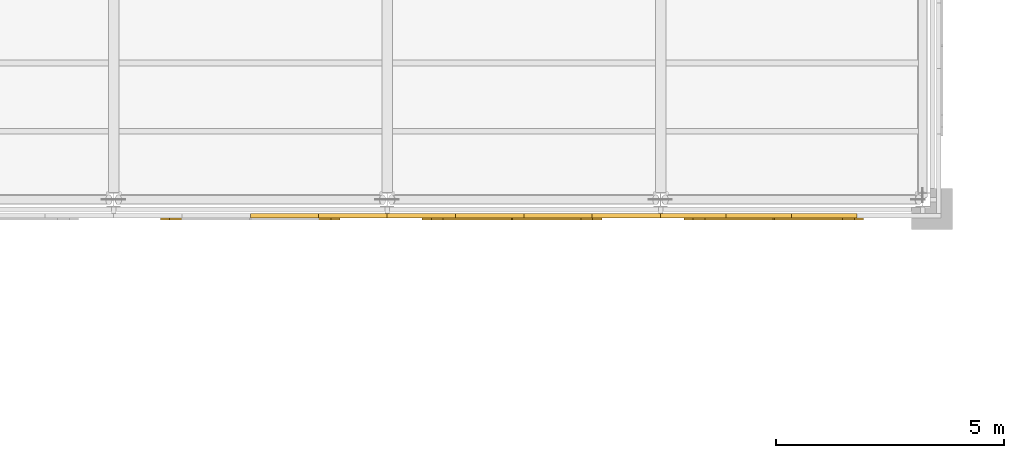
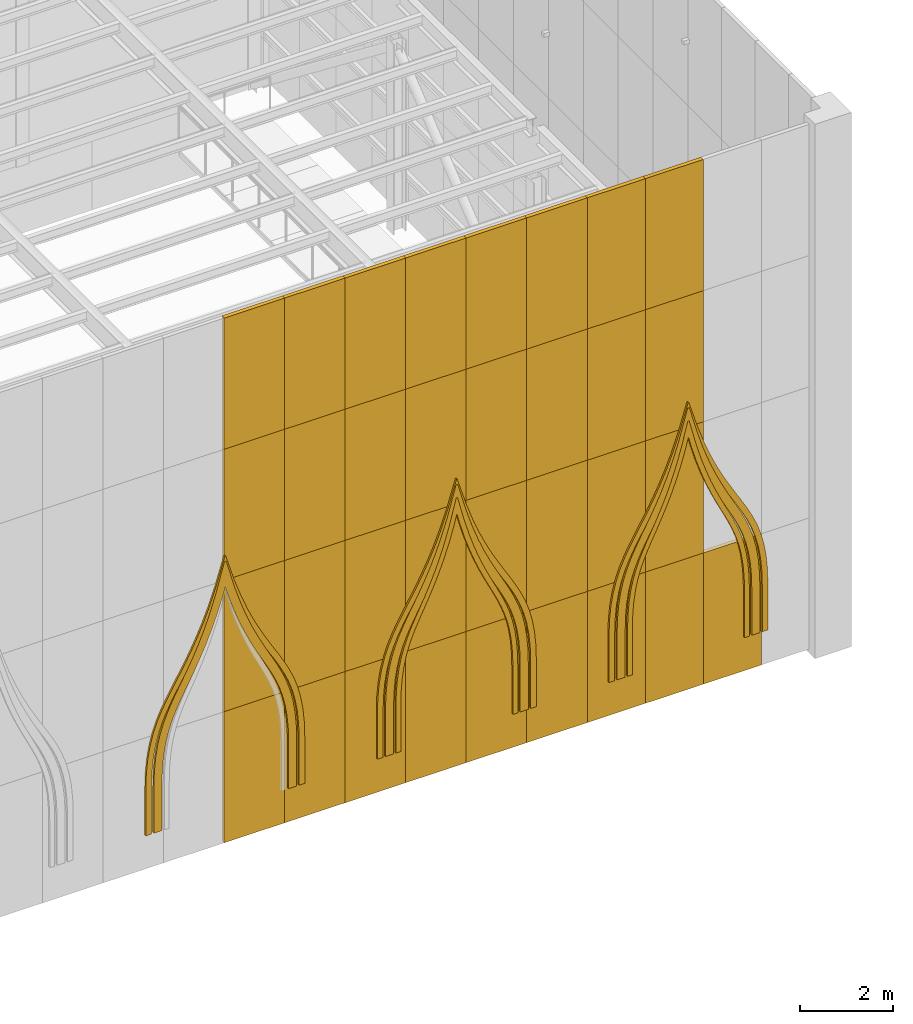
# One storey, part 37 of 43: 41 coverings.
"""IFC4 building model written with IfcOpenShell, lengths in metres."""

import ifcopenshell
import ifcopenshell.guid

model = None  # the IFC model being written
_history = None  # IfcOwnerHistory: only IFC2X3 demands one
_inside = {}  # id of a spatial element -> (the spatial element, [elements in it])
_under = {}  # id of a project, library or spatial element -> (it, [spatial elements below it])
_declared = {}  # id of a project -> (the project, [libraries it declares])
_typed = {}  # id of a type object -> (the type object, [elements of that type])
_made_of = {}  # id of a material, layer set ... -> (it, [elements and type objects made of it])


def new_model(schema):
    """Start an empty IFC model of exactly this schema.

    Asked for "IFC4X3", IfcOpenShell would pick the latest addendum, in which some entities
    have other attributes; the version numbers below select the first issue.
    IFC2X3 requires an IfcOwnerHistory on every rooted entity: one is made here for all.
    """
    global model, _history
    if schema == "IFC4X3":
        model = ifcopenshell.file(schema_version=(4, 3, 0, 0))
    else:
        model = ifcopenshell.file(schema=schema)
    _inside.clear()
    _under.clear()
    _declared.clear()
    _typed.clear()
    _made_of.clear()
    _history = None
    if model.schema == "IFC2X3":
        org = make("IfcOrganization", Name="unknown")
        user = make(
            "IfcPersonAndOrganization",
            ThePerson=make("IfcPerson", FamilyName="unknown"),
            TheOrganization=org,
        )
        app = make(
            "IfcApplication",
            ApplicationDeveloper=org,
            Version="unknown",
            ApplicationFullName="unknown",
            ApplicationIdentifier="unknown",
        )
        _history = make(
            "IfcOwnerHistory",
            OwningUser=user,
            OwningApplication=app,
            ChangeAction="ADDED",
            CreationDate=0,
        )
    return model


def make(cls, **values):
    """One entity of the class cls with the attributes given. An attribute that is None is left unset."""
    return model.create_entity(
        cls, **{name: value for name, value in values.items() if value is not None}
    )


def rooted(cls, **values):
    """An entity with a GlobalId (a new one), such as an element, a storey or a relation."""
    return make(cls, GlobalId=ifcopenshell.guid.new(), OwnerHistory=_history, **values)


def si_unit(unit_type, name, prefix=None):
    """IfcSIUnit, for example si_unit("LENGTHUNIT", "METRE", prefix="MILLI")."""
    return make("IfcSIUnit", UnitType=unit_type, Prefix=prefix, Name=name)


def assignment(units):
    """IfcUnitAssignment: the units of a project."""
    return None if units is None else make("IfcUnitAssignment", Units=units)


def point(xyz):
    """IfcCartesianPoint."""
    return None if xyz is None else make("IfcCartesianPoint", Coordinates=xyz)


def direction(xyz):
    """IfcDirection."""
    return None if xyz is None else make("IfcDirection", DirectionRatios=xyz)


def frame(location, z_axis=None, x_axis=None):
    """IfcAxis2Placement3D, a coordinate frame: its origin and axes. An axis left out is left unset."""
    return make(
        "IfcAxis2Placement3D",
        Location=point(location),
        Axis=direction(z_axis),
        RefDirection=direction(x_axis),
    )


def frame_2d(location, x_axis=None):
    """IfcAxis2Placement2D, a coordinate frame in the plane: its origin and x axis."""
    return make(
        "IfcAxis2Placement2D", Location=point(location), RefDirection=direction(x_axis)
    )


def origin():
    """The frame at (0, 0, 0) with its axes left unset."""
    return frame((0.0, 0.0, 0.0))


def origin_2d():
    """The frame at (0, 0) in the plane with its x axis left unset."""
    return frame_2d((0.0, 0.0))


def place(relative_to, where):
    """IfcLocalPlacement: puts the frame where relative to a parent placement (None: the world)."""
    return make(
        "IfcLocalPlacement", PlacementRelTo=relative_to, RelativePlacement=where
    )


def context(
    kind, dimensions, precision=None, world=None, true_north=None, identifier=None
):
    """IfcGeometricRepresentationContext, for example the 3D "Model" context."""
    return make(
        "IfcGeometricRepresentationContext",
        ContextIdentifier=identifier,
        ContextType=kind,
        CoordinateSpaceDimension=dimensions,
        Precision=precision,
        WorldCoordinateSystem=world,
        TrueNorth=true_north,
    )


def subcontext(parent, identifier, kind, view, scale=None):
    """IfcGeometricRepresentationSubContext, for example "Body" below "Model"."""
    return make(
        "IfcGeometricRepresentationSubContext",
        ContextIdentifier=identifier,
        ContextType=kind,
        ParentContext=parent,
        TargetScale=scale,
        TargetView=view,
    )


def project(units=None, contexts=None):
    """IfcProject with its units and contexts."""
    return rooted(
        "IfcProject",
        Name="project",
        RepresentationContexts=contexts,
        UnitsInContext=assignment(units),
    )


def spatial(cls, under=None, at=None, **own):
    """A site, building, storey or space (cls), placed at a placement, below another one or the project."""
    s = rooted(cls, ObjectPlacement=at, **own)
    if under is not None:
        _under.setdefault(under.id(), (under, []))[1].append(s)
    return s


def polyline(points):
    """IfcPolyline through the points."""
    return make("IfcPolyline", Points=[point(p) for p in points])


def profile(cls, at=None, kind="AREA", **sizes):
    """A parametric profile (cls). Its sizes go by their IFC names, for example OverallWidth=200.0."""
    return make(cls, ProfileType=kind, Position=at, **sizes)


def rectangle(**sizes):
    """IfcRectangleProfileDef."""
    return profile("IfcRectangleProfileDef", **sizes)


def outline(outer, holes=None, kind="AREA"):
    """IfcArbitraryClosedProfileDef: a profile drawn as a closed curve; with holes, ...WithVoids."""
    if holes is None:
        return make("IfcArbitraryClosedProfileDef", ProfileType=kind, OuterCurve=outer)
    return make(
        "IfcArbitraryProfileDefWithVoids",
        ProfileType=kind,
        OuterCurve=outer,
        InnerCurves=holes,
    )


def extrude(swept, where, along, depth):
    """IfcExtrudedAreaSolid: the profile swept, set in the frame where, extruded along a direction by depth."""
    return make(
        "IfcExtrudedAreaSolid",
        SweptArea=swept,
        Position=where,
        ExtrudedDirection=direction(along),
        Depth=depth,
    )


def shape(context_of_items, identifier, shape_type, items):
    """IfcShapeRepresentation: the items that make up one representation, for example the "Body"."""
    return make(
        "IfcShapeRepresentation",
        ContextOfItems=context_of_items,
        RepresentationIdentifier=identifier,
        RepresentationType=shape_type,
        Items=items,
    )


def material(Name=None, Category=None):
    """IfcMaterial."""
    return make("IfcMaterial", Name=Name, Category=Category)


def layer(
    of_material, thickness, ventilated=None, Name=None, Category=None, Priority=None
):
    """IfcMaterialLayer: one layer of a wall or slab, of a material (None: an air gap)."""
    return make(
        "IfcMaterialLayer",
        Material=of_material,
        LayerThickness=thickness,
        IsVentilated=ventilated,
        Name=Name,
        Category=Category,
        Priority=Priority,
    )


def layer_set(layers, Name=None):
    """IfcMaterialLayerSet."""
    return make("IfcMaterialLayerSet", MaterialLayers=layers, LayerSetName=Name)


def made_of(thing, what):
    """Note that an element or type object is made of a material, layer set ...; save() writes the relation."""
    if what is not None:
        _made_of.setdefault(what.id(), (what, []))[1].append(thing)
    return thing


def type_object(cls, material=None, **own):
    """A type object (cls), such as IfcWallType, which elements share."""
    return made_of(rooted(cls, **own), material)


def element(
    cls,
    number,
    at=None,
    inside=None,
    cuts=None,
    type_object=None,
    material=None,
    context=None,
    identifier="Body",
    shape_type=None,
    held_by="IfcProductDefinitionShape",
    body=None,
    shapes=None,
    **own,
):
    """One element of the class cls, such as IfcWall. Its Tag is "e" and its number.

    at: its placement. inside: the storey or other place that contains it. cuts: it is an
    opening in that element (IfcRelVoidsElement). A single representation is given by context,
    identifier, shape_type and body (its items); several are given by shapes. held_by: the class
    of the entity that holds the representations. save() writes the other relations.
    """
    e = rooted(cls, Tag="e%d" % number, ObjectPlacement=at, **own)
    if body is not None:
        shapes = [shape(context, identifier, shape_type, body)]
    if shapes is not None:
        e.Representation = make(held_by, Representations=shapes)
    if inside is not None:
        _inside.setdefault(inside.id(), (inside, []))[1].append(e)
    if cuts is not None:
        rooted(
            "IfcRelVoidsElement", RelatingBuildingElement=cuts, RelatedOpeningElement=e
        )
    if type_object is not None:
        _typed.setdefault(type_object.id(), (type_object, []))[1].append(e)
    return made_of(e, material)


def aggregate(whole, parts):
    """IfcRelAggregates: a whole, such as a stair, and the parts it consists of."""
    return rooted("IfcRelAggregates", RelatingObject=whole, RelatedObjects=parts)


def save(model, path):
    """Write the relations noted so far, then the file.

    IfcRelAggregates (storeys below a building ...), IfcRelContainedInSpatialStructure (elements
    in a storey), IfcRelDefinesByType, IfcRelAssociatesMaterial and IfcRelDeclares: one each for
    every whole, place, type object, material and project.
    """
    for whole, parts in _under.values():
        aggregate(whole, parts)
    for where, things in _inside.values():
        rooted(
            "IfcRelContainedInSpatialStructure",
            RelatedElements=things,
            RelatingStructure=where,
        )
    for kind, things in _typed.values():
        rooted("IfcRelDefinesByType", RelatedObjects=things, RelatingType=kind)
    for what, things in _made_of.values():
        rooted("IfcRelAssociatesMaterial", RelatedObjects=things, RelatingMaterial=what)
    for by, libraries in _declared.values():
        rooted("IfcRelDeclares", RelatingContext=by, RelatedDefinitions=libraries)
    model.write(path)


model = new_model("IFC4")

# Units and contexts
model_context = context("Model", 3, precision=1e-05, world=origin(), true_north=direction((0.0, 1.0)))
body_context = subcontext(model_context, "Body", "Model", "MODEL_VIEW")
ifc_project = project(units=[si_unit("LENGTHUNIT", "METRE"), si_unit("AREAUNIT", "SQUARE_METRE"), si_unit("VOLUMEUNIT", "CUBIC_METRE"), si_unit("PLANEANGLEUNIT", "RADIAN"), si_unit("MASSUNIT", "GRAM", prefix="KILO")], contexts=[model_context])

# Site, building, storey
site_placement = place(None, origin())
site = spatial("IfcSite", under=ifc_project, at=site_placement, CompositionType="ELEMENT")
building_placement = place(site_placement, origin())
building = spatial("IfcBuilding", under=site, at=building_placement, Name="Saffron Lane Theatres", CompositionType="ELEMENT")
storey_placement = place(building_placement, frame((0.0, 0.0, 23.0)))
storey = spatial("IfcBuildingStorey", under=building, at=storey_placement, Name="Roof", CompositionType="ELEMENT", Elevation=23.0)

# Coverings
ifc_material_1 = material(Name="Masonry sandstone", Category="masonry")
ifc_layer_1 = layer(ifc_material_1, 0.050048828125)
ifc_layer_set_1 = layer_set([ifc_layer_1], Name="Masonry sandstone")
covering_type_1 = type_object("IfcCoveringType", Name="EX-ARCH FRAME RING SANDSTONE 50", PredefinedType="CLADDING", material=ifc_layer_set_1)
covering_1_placement = place(storey_placement, frame((34.759033203125, 29.85009765625, 2.60107421875), z_axis=(0.0, 1.0, 0.0), x_axis=(0.027445423218, 0.0, -0.999623303422)))
element("IfcCovering", 1, at=covering_1_placement, inside=storey, type_object=covering_type_1, Name="Tower arch recess ring", PredefinedType="CLADDING", context=body_context, shape_type="SweptSolid", body=[
    extrude(outline(polyline([(0.0, 0.0), (0.4002972749886543, 0.0), (1.60077262399574, 0.03295996992392853), (1.5952848794607335, 0.23283582087672447), (0.39676191971814384, 0.19992945529501824), (0.005521247248895529, 0.1992011807455482), (-0.3350186515351066, 0.21989201014049903), (-0.6362744592205554, 0.25973462870481856), (-0.9050192333481872, 0.3163449833181706), (-1.1499851212660126, 0.3875294651760587), (-1.3804526725231665, 0.473277502310989), (-1.604171139292633, 0.5711782394315141), (-1.8304143705807694, 0.6809770559120782), (-2.0656912736419164, 0.7995644532009369), (-2.31924889531132, 0.9257096160402862), (-2.596917601211358, 1.0582755367712111), (-2.907850630578386, 1.1926147189230394), (-3.2586775004367463, 1.3300105397891429), (-3.657581955933325, 1.4660863537280224), (-4.111370557322747, 1.5996783509096524), (-4.280569238825531, 1.642169768484506), (-4.113956966834973, 1.6938811329215928), (-3.668182214607782, 1.852171330782141), (-3.2773452126156575, 2.0099301011499358), (-2.9345857962617514, 2.166368864590507), (-2.6315259046586217, 2.3187868556615543), (-2.361515919153593, 2.4651685510955206), (-2.1152618891119763, 2.605036425543775), (-1.8868463418552817, 2.7363548541104272), (-1.666968626206042, 2.8584022627887835), (-1.4489590218832489, 2.968430982337101), (-1.2235436798805455, 3.0666956333809354), (-0.9828527382549475, 3.151214195366617), (-0.7176190485428754, 3.2224853375777642), (-0.4190032547118743, 3.2787978902898818), (-0.08011168945120746, 3.318143030778188), (0.31057953851026243, 3.338883295288744), (1.509102498252852, 3.37178966087045), (1.5036147537178453, 3.571665511823246), (0.3031394047107597, 3.5387055418993176), (-0.0965548214278939, 3.516741162673736), (-0.4495744066850469, 3.4760311960720696), (-0.762047369683361, 3.4173843231571226), (-1.042087621023883, 3.342775863939786), (-1.2967926734187447, 3.2527436486536896), (-1.5340256882681536, 3.1490256491944417), (-1.7609578842547968, 3.0348442310343535), (-1.985662968723055, 2.910710422235945), (-2.215027908440886, 2.778388996865934), (-2.45838015675687, 2.6395777235632614), (-2.724538968075129, 2.4952556260782357), (-3.020357806449731, 2.345967235187266), (-3.3563910690623455, 2.1936208654734655), (-3.7392615723945344, 2.039255845572144), (-4.177280371905962, 1.8831324543449808), (-4.9520084443458074, 1.6437619663494585), (-4.9509095553302505, 1.603737986427287), (-4.164214313489279, 1.4072375711240381), (-3.7182888735000645, 1.2753835458380154), (-3.327525130775644, 1.142259246542275), (-2.983638832027465, 1.0085805890073858), (-2.680074166201742, 0.8757487311786581), (-2.4063973458868078, 0.7462482343180951), (-2.1557951102852595, 0.6209988595976605), (-1.9195152104207531, 0.5014620698476648), (-1.688337401629154, 0.3898448749581602), (-1.455481925826948, 0.28828727939142085), (-1.2129152789264217, 0.19774254703329958), (-0.9536538574426654, 0.12182167483722059), (-0.6699417086599169, 0.06269146943656922), (-0.3547215231227106, 0.02127839254608732), (0.0, 0.0)])), origin(), (0.0, 0.0, -1.0), 0.050048828125),
])
covering_2_placement = place(storey_placement, frame((34.9580078125, 29.85009765625, 2.617919921875), z_axis=(0.0, 1.0, 0.0), x_axis=(0.028676726094, 0.0, -0.999588738122)))
element("IfcCovering", 2, at=covering_2_placement, inside=storey, type_object=covering_type_1, Name="Tower arch recess ring", PredefinedType="CLADDING", context=body_context, shape_type="SweptSolid", body=[
    extrude(outline(polyline([(0.0, 0.0), (0.41716375104764425, 0.0), (1.6175975896273929, 0.034438675696960006), (1.6135859284819654, 0.1742737213375772), (0.4151044116563614, 0.1398910548712689), (0.005017826967491893, 0.1400940883323813), (-0.35494549711227735, 0.16396102174383417), (-0.671332639580196, 0.2098385826365695), (-0.9552924378304503, 0.274720275522391), (-1.2138740536064891, 0.35742690606311395), (-1.4567760852945528, 0.4554820661320671), (-1.6930000163922352, 0.5676505521604138), (-1.930822210893157, 0.6929622042600804), (-2.177744905210146, 0.8290036246888783), (-2.441974451798508, 0.972364251366053), (-2.733495496186741, 1.1220249163267102), (-3.056888793310287, 1.2759002758939073), (-3.4235612230902626, 1.4314649138641529), (-3.8400458622162548, 1.5865774773298524), (-4.314828109131995, 1.7390406041527604), (-4.631415284566527, 1.825944926497861), (-4.320331016043524, 1.9308562164974814), (-3.8550703383385714, 2.1102877878791797), (-3.448163277654019, 2.289022244372231), (-3.091012417084831, 2.4653523046065917), (-2.776972661480118, 2.637514677981567), (-2.4945111101497965, 2.8036420567538216), (-2.238934989697121, 2.96191514109201), (-2.0002176476706053, 3.111888857645417), (-1.769970701615325, 3.250628722793827), (-1.5405658943494862, 3.3761554103326024), (-1.3036848549564797, 3.487974838834209), (-1.0502700907080593, 3.585369890113339), (-0.7704969824490192, 3.666424248349837), (-0.4572603592052583, 3.730364786127743), (-0.09925735819829837, 3.7748291141113564), (0.31014311341508793, 3.7985420221385167), (1.5086246302406918, 3.8329246886048254), (1.5046129690952643, 3.9727597342454426), (0.30417913051551565, 3.9383210585484822), (-0.11229850745664535, 3.9144051170602094), (-0.47930999311503036, 3.8689496257270277), (-0.8044415767184447, 3.8024696694379667), (-1.094136320121499, 3.718199781263162), (-1.358448880391006, 3.6175611954303997), (-1.6042403882817973, 3.5013340405094713), (-1.839634182568035, 3.3717276806166194), (-2.073485722681685, 3.2309304764065927), (-2.312447104927469, 3.0809497586993544), (-2.5680512299954703, 2.923652835238239), (-2.8454159413364875, 2.758648641573517), (-3.155635067278889, 2.589526769291062), (-3.507717092474098, 2.415296055041307), (-3.9078820420189535, 2.239930153706022), (-4.367097723472856, 2.062625932924255), (-5.082416612246459, 1.8220432834840707), (-5.081898526862931, 1.803984307258232), (-4.353963558885034, 1.6048064815773124), (-3.885338326681647, 1.4541206476627628), (-3.47577782869497, 1.3019845747402674), (-3.114286252750276, 1.148225234293706), (-2.794881612980997, 0.9971663388964227), (-2.50851341781272, 0.8483348105823771), (-2.244311875839684, 0.7059503447822748), (-1.9971451413034267, 0.5699159255073083), (-1.7556063342828319, 0.44275696896096894), (-1.5131973838574695, 0.3278350291471916), (-1.2611188398260256, 0.2249140671653726), (-0.991471400336945, 0.1395940059158483), (-0.6974219392507215, 0.0720708777058996), (-0.36901381565418306, 0.024340011377493066), (0.0, 0.0)])), origin(), (0.0, 0.0, -1.0), 0.050048828125),
])
covering_3_placement = place(storey_placement, frame((40.240966796875, 29.85009765625, 2.5810546875), z_axis=(0.0, 1.0, 0.0), x_axis=(0.023756941085, 0.0, -0.999717764047)))
element("IfcCovering", 3, at=covering_3_placement, inside=storey, type_object=covering_type_1, Name="Tower arch recess ring", PredefinedType="CLADDING", context=body_context, shape_type="SweptSolid", body=[
    extrude(outline(polyline([(0.0, 0.0), (0.38023426890641177, 0.0), (1.5808230582972993, 0.028530369433181012), (1.5779694413505367, 0.14861365554424355), (0.3793332257175527, 0.12012968638661965), (0.0032539760811303733, 0.1199842152524406), (-0.32637530581117835, 0.13828144283302546), (-0.6163538279053677, 0.17339453784549674), (-0.8754217718364463, 0.223162125291944), (-1.1121042476919079, 0.2866489888075911), (-1.3349147654903566, 0.3624317685881858), (-1.550146989634977, 0.4481630182605264), (-1.7663318302477076, 0.5431515931795744), (-1.990779838851797, 0.6467353488725149), (-2.231510581991929, 0.7572584538842472), (-2.4952710673040963, 0.8708974314542522), (-2.79112674862527, 0.9889021106265061), (-3.1241045314843876, 1.1070014714421268), (-3.503019997964239, 1.2262070712597966), (-3.934846827317219, 1.341957418125338), (-4.195372931259218, 1.4017029459088173), (-3.9379788459173244, 1.4737561467838212), (-3.5121376521112118, 1.6098878146878255), (-3.139312221798232, 1.7469575205949843), (-2.812320074485982, 1.8807401745489096), (-2.522403628436119, 2.012664936388298), (-2.264338776948588, 2.138704387600942), (-2.0291238665653077, 2.2602934880599834), (-1.8098552887202812, 2.374665778093016), (-1.5984206763177105, 2.4795719416393345), (-1.3875094778343462, 2.5756741231717535), (-1.168550182907138, 2.661954965297145), (-0.9351505265473425, 2.7366126951531675), (-0.6787389983919088, 2.7986299553466933), (-0.3907556881466753, 2.84747753192407), (-0.062367613625519354, 2.881411652367403), (0.3132940335308889, 2.899130287322713), (1.5119302491638729, 2.927614256480337), (1.5090766322171103, 3.0476975425913997), (0.3084878428262229, 3.0191671731582184), (-0.07131722353128557, 3.0011058658976117), (-0.406516106067325, 2.9660330576108778), (-0.7025305829261318, 2.9160177930178754), (-0.9679263644363119, 2.8518333577919948), (-1.2093339872719022, 2.775031653041396), (-1.4341046031972635, 2.6866590363314287), (-1.6498508357998292, 2.588488280352214), (-1.8644061802489915, 2.4813100708804736), (-2.0836805581284623, 2.367181852567179), (-2.3179423817705693, 2.246592239124868), (-2.5740488594657522, 2.120355116468043), (-2.8591592715686374, 1.9917192876741407), (-3.182025399783121, 1.859011521184726), (-3.550992082855851, 1.7239871895865848), (-3.9717309706852455, 1.5889536092848697), (-4.619702510682907, 1.4074929478614444), (-4.618942706170659, 1.3755195525757753), (-3.9630831193282883, 1.2250426751556132), (-3.536404996227583, 1.1101468144456859), (-3.1614468775735407, 0.9930450595545434), (-2.832664714225525, 0.8767996719112675), (-2.5417426676091113, 0.7608756375277622), (-2.2799289560204032, 0.646946187962462), (-2.040203499931446, 0.5376202414116408), (-1.8157554913273564, 0.43403648571870035), (-1.5963513180824758, 0.33717073748952914), (-1.3761854592330949, 0.24935884302844), (-1.1474708198853787, 0.1717626903166131), (-0.9026875770030083, 0.10651465417973567), (-0.6345425791660692, 0.05500909424983662), (-0.33648069014830473, 0.01886704177534876), (0.0, 0.0)])), origin(), (0.0, 0.0, -1.0), 0.050048828125),
])
covering_4_placement = place(storey_placement, frame((40.4990234375, 29.85009765625, 2.60107421875), z_axis=(0.0, 1.0, 0.0), x_axis=(0.027445423218, 0.0, -0.999623303422)))
element("IfcCovering", 4, at=covering_4_placement, inside=storey, type_object=covering_type_1, Name="Tower arch recess ring", PredefinedType="CLADDING", context=body_context, shape_type="SweptSolid", body=[
    extrude(outline(polyline([(0.0, 0.0), (0.4002972749886543, 0.0), (1.60077262399574, 0.03295996992392853), (1.5952848794607335, 0.23283582087672447), (0.39676191971814384, 0.19992945529501824), (0.005521247248895529, 0.1992011807455482), (-0.3350186515351066, 0.21989201014049903), (-0.6362744592205554, 0.25973462870481856), (-0.9050192333481872, 0.3163449833181706), (-1.1499851212660126, 0.3875294651760587), (-1.3804526725231665, 0.473277502310989), (-1.604171139292633, 0.5711782394315141), (-1.8304143705807694, 0.6809770559120782), (-2.0656912736419164, 0.7995644532009369), (-2.31924889531132, 0.9257096160402862), (-2.59691090066858, 1.058031488113149), (-2.907850630578386, 1.1926147189230394), (-3.2586775004367463, 1.3300105397891429), (-3.657581955933325, 1.4660863537280224), (-4.111370557322747, 1.5996783509096524), (-4.280569238825531, 1.642169768484506), (-4.1139502662921945, 1.6936370842635309), (-3.668175514065004, 1.851927282124079), (-3.2773452126156575, 2.0099301011499358), (-2.9345857962617514, 2.166368864590507), (-2.6315259046586217, 2.3187868556615543), (-2.361515919153593, 2.4651685510955206), (-2.1152618891119763, 2.605036425543775), (-1.8868463418552817, 2.7363548541104272), (-1.666968626206042, 2.8584022627887835), (-1.4489590218832489, 2.968430982337101), (-1.2235436798805455, 3.0666956333809354), (-0.9828527382549475, 3.151214195366617), (-0.7176190485428754, 3.2224853375777642), (-0.4190032547118743, 3.2787978902898818), (-0.08011168945120746, 3.318143030778188), (0.31057953851026243, 3.338883295288744), (1.509102498252852, 3.37178966087045), (1.5036147537178453, 3.571665511823246), (0.3031394047107597, 3.5387055418993176), (-0.0965548214278939, 3.516741162673736), (-0.4495744066850469, 3.4760311960720696), (-0.762047369683361, 3.4173843231571226), (-1.042087621023883, 3.342775863939786), (-1.2967926734187447, 3.2527436486536896), (-1.5340256882681536, 3.1490256491944417), (-1.7609578842547968, 3.0348442310343535), (-1.985662968723055, 2.910710422235945), (-2.215027908440886, 2.778388996865934), (-2.45838015675687, 2.6395777235632614), (-2.724538968075129, 2.4952556260782357), (-3.020357806449731, 2.345967235187266), (-3.3563910690623455, 2.1936208654734655), (-3.7392615723945344, 2.039255845572144), (-4.177280371905962, 1.8831324543449808), (-4.9520084443458074, 1.6437619663494585), (-4.9509095553302505, 1.603737986427287), (-4.164214313489279, 1.4072375711240381), (-3.7182888735000645, 1.2753835458380154), (-3.327518430232866, 1.142015197884213), (-2.983638832027465, 1.0085805890073858), (-2.680074166201742, 0.8757487311786581), (-2.4063973458868078, 0.7462482343180951), (-2.1557951102852595, 0.6209988595976605), (-1.9195152104207531, 0.5014620698476648), (-1.688337401629154, 0.3898448749581602), (-1.455481925826948, 0.28828727939142085), (-1.2129152789264217, 0.19774254703329958), (-0.9536538574426654, 0.12182167483722059), (-0.6699417086599169, 0.06269146943656922), (-0.3547215231227106, 0.02127839254608732), (0.0, 0.0)])), origin(), (0.0, 0.0, -1.0), 0.050048828125),
])
covering_5_placement = place(storey_placement, frame((40.697998046875, 29.85009765625, 2.617919921875), z_axis=(0.0, 1.0, 0.0), x_axis=(0.028676726094, 0.0, -0.999588738122)))
element("IfcCovering", 5, at=covering_5_placement, inside=storey, type_object=covering_type_1, Name="Tower arch recess ring", PredefinedType="CLADDING", context=body_context, shape_type="SweptSolid", body=[
    extrude(outline(polyline([(0.0, 0.0), (0.41716375104764425, 0.0), (1.6175975896273929, 0.034438675696960006), (1.6135859284819654, 0.1742737213375772), (0.4151044116563614, 0.1398910548712689), (0.005017826967491893, 0.1400940883323813), (-0.35494549711227735, 0.16396102174383417), (-0.671332639580196, 0.2098385826365695), (-0.9552924378304503, 0.274720275522391), (-1.2138740536064891, 0.35742690606311395), (-1.4567760852945528, 0.4554820661320671), (-1.6930000163922352, 0.5676505521604138), (-1.930822210893157, 0.6929622042600804), (-2.177744905210146, 0.8290036246888783), (-2.441974451798508, 0.972364251366053), (-2.733495496186741, 1.1220249163267102), (-3.056888793310287, 1.2759002758939073), (-3.4235612230902626, 1.4314649138641529), (-3.8400458622162548, 1.5865774773298524), (-4.314828109131995, 1.7390406041527604), (-4.631415284566527, 1.825944926497861), (-4.320331016043524, 1.9308562164974814), (-3.8550703383385714, 2.1102877878791797), (-3.448163277654019, 2.289022244372231), (-3.091012417084831, 2.4653523046065917), (-2.776972661480118, 2.637514677981567), (-2.4945111101497965, 2.8036420567538216), (-2.238934989697121, 2.96191514109201), (-2.0002176476706053, 3.111888857645417), (-1.769970701615325, 3.250628722793827), (-1.5405658943494862, 3.3761554103326024), (-1.3036848549564797, 3.487974838834209), (-1.0502700907080593, 3.585369890113339), (-0.7704969824490192, 3.666424248349837), (-0.4572603592052583, 3.730364786127743), (-0.09925035704446691, 3.7745850738920885), (0.31014311341508793, 3.7985420221385167), (1.5086246302406918, 3.8329246886048254), (1.5046129690952643, 3.9727597342454426), (0.30417913051551565, 3.9383210585484822), (-0.11229850745664535, 3.9144051170602094), (-0.47930999311503036, 3.8689496257270277), (-0.8044415767184447, 3.8024696694379667), (-1.094136320121499, 3.718199781263162), (-1.358448880391006, 3.6175611954303997), (-1.6042403882817973, 3.5013340405094713), (-1.839634182568035, 3.3717276806166194), (-2.073485722681685, 3.2309304764065927), (-2.312447104927469, 3.0809497586993544), (-2.5680512299954703, 2.923652835238239), (-2.8454159413364875, 2.758648641573517), (-3.155635067278889, 2.589526769291062), (-3.507717092474098, 2.415296055041307), (-3.9078820420189535, 2.239930153706022), (-4.367097723472856, 2.062625932924255), (-5.082416612246459, 1.8220432834840707), (-5.081898526862931, 1.803984307258232), (-4.353963558885034, 1.6048064815773124), (-3.885338326681647, 1.4541206476627628), (-3.4757708275411385, 1.3017405345209991), (-3.114286252750276, 1.148225234293706), (-2.794881612980997, 0.9971663388964227), (-2.50851341781272, 0.8483348105823771), (-2.244311875839684, 0.7059503447822748), (-1.9971451413034267, 0.5699159255073083), (-1.7556063342828319, 0.44275696896096894), (-1.5131973838574695, 0.3278350291471916), (-1.2611188398260256, 0.2249140671653726), (-0.991471400336945, 0.1395940059158483), (-0.6974219392507215, 0.0720708777058996), (-0.36901381565418306, 0.024340011377493066), (0.0, 0.0)])), origin(), (0.0, 0.0, -1.0), 0.050048828125),
])
covering_6_placement = place(storey_placement, frame((45.98095703125, 29.85009765625, 2.5810546875), z_axis=(0.0, 1.0, 0.0), x_axis=(0.023756941085, 0.0, -0.999717764047)))
element("IfcCovering", 6, at=covering_6_placement, inside=storey, type_object=covering_type_1, Name="Tower arch recess ring", PredefinedType="CLADDING", context=body_context, shape_type="SweptSolid", body=[
    extrude(outline(polyline([(0.0, 0.0), (0.38023426890641177, 0.0), (1.5808230582972993, 0.028530369433181012), (1.5779752413849812, 0.1483695838245056), (0.3793390257519973, 0.11988561466688172), (0.0032539760811303733, 0.1199842152524406), (-0.32637530581117835, 0.13828144283302546), (-0.6163538279053677, 0.17339453784549674), (-0.8754217718364463, 0.223162125291944), (-1.1121042476919079, 0.2866489888075911), (-1.3349147654903566, 0.3624317685881858), (-1.550146989634977, 0.4481630182605264), (-1.7663318302477076, 0.5431515931795744), (-1.990779838851797, 0.6467353488725149), (-2.231510581991929, 0.7572584538842472), (-2.4952710673040963, 0.8708974314542522), (-2.79112674862527, 0.9889021106265061), (-3.1241045314843876, 1.1070014714421268), (-3.503014197929794, 1.2259629995400585), (-3.934846827317219, 1.341957418125338), (-4.195372931259218, 1.4017029459088173), (-3.9379788459173244, 1.4737561467838212), (-3.5121376521112118, 1.6098878146878255), (-3.139312221798232, 1.7469575205949843), (-2.812320074485982, 1.8807401745489096), (-2.522403628436119, 2.012664936388298), (-2.264338776948588, 2.138704387600942), (-2.0291238665653077, 2.2602934880599834), (-1.8098552887202812, 2.374665778093016), (-1.5984206763177105, 2.4795719416393345), (-1.3875094778343462, 2.5756741231717535), (-1.168550182907138, 2.661954965297145), (-0.9351505265473425, 2.7366126951531675), (-0.6787389983919088, 2.7986299553466933), (-0.3907556881466753, 2.84747753192407), (-0.06236181359107471, 2.881167580647665), (0.3132940335308889, 2.899130287322713), (1.5119302491638729, 2.927614256480337), (1.5090766322171103, 3.0476975425913997), (0.3084878428262229, 3.0191671731582184), (-0.07131722353128557, 3.0011058658976117), (-0.406516106067325, 2.9660330576108778), (-0.7025305829261318, 2.9160177930178754), (-0.9679263644363119, 2.8518333577919948), (-1.2093339872719022, 2.775031653041396), (-1.4341046031972635, 2.6866590363314287), (-1.6498508357998292, 2.588488280352214), (-1.8644061802489915, 2.4813100708804736), (-2.0836805581284623, 2.367181852567179), (-2.3179423817705693, 2.246592239124868), (-2.5740488594657522, 2.120355116468043), (-2.8591534715341926, 1.9914752159544027), (-3.1820195997486764, 1.858767449464988), (-3.550992082855851, 1.7239871895865848), (-3.9717309706852455, 1.5889536092848697), (-4.619702510682907, 1.4074929478614444), (-4.618942706170659, 1.3755195525757753), (-3.9630831193282883, 1.2250426751556132), (-3.536404996227583, 1.1101468144456859), (-3.1614468775735407, 0.9930450595545434), (-2.832664714225525, 0.8767996719112675), (-2.5417426676091113, 0.7608756375277622), (-2.2799289560204032, 0.646946187962462), (-2.040203499931446, 0.5376202414116408), (-1.8157554913273564, 0.43403648571870035), (-1.5963513180824758, 0.33717073748952914), (-1.3761854592330949, 0.24935884302844), (-1.1474708198853787, 0.1717626903166131), (-0.9026875770030083, 0.10651465417973567), (-0.6345425791660692, 0.05500909424983662), (-0.33648069014830473, 0.01886704177534876), (0.0, 0.0)])), origin(), (0.0, 0.0, -1.0), 0.050048828125),
])
covering_7_placement = place(storey_placement, frame((46.239013671875, 29.85009765625, 2.60107421875), z_axis=(0.0, 1.0, 0.0), x_axis=(0.027445423218, 0.0, -0.999623303422)))
element("IfcCovering", 7, at=covering_7_placement, inside=storey, type_object=covering_type_1, Name="Tower arch recess ring", PredefinedType="CLADDING", context=body_context, shape_type="SweptSolid", body=[
    extrude(outline(polyline([(0.0, 0.0), (0.4002972749886543, 0.0), (1.60077262399574, 0.03295996992392853), (1.5952848794607335, 0.23283582087672447), (0.39676191971814384, 0.19992945529501824), (0.005521247248895529, 0.1992011807455482), (-0.3350186515351066, 0.21989201014049903), (-0.6362744592205554, 0.25973462870481856), (-0.9050192333481872, 0.3163449833181706), (-1.1499851212660126, 0.3875294651760587), (-1.3804526725231665, 0.473277502310989), (-1.604171139292633, 0.5711782394315141), (-1.8304143705807694, 0.6809770559120782), (-2.0656912736419164, 0.7995644532009369), (-2.31924889531132, 0.9257096160402862), (-2.59691090066858, 1.058031488113149), (-2.907850630578386, 1.1926147189230394), (-3.2586775004367463, 1.3300105397891429), (-3.657581955933325, 1.4660863537280224), (-4.111370557322747, 1.5996783509096524), (-4.280569238825531, 1.642169768484506), (-4.1139502662921945, 1.6936370842635309), (-3.668175514065004, 1.851927282124079), (-3.2773452126156575, 2.0099301011499358), (-2.9345857962617514, 2.166368864590507), (-2.6315192041158437, 2.3185428070034924), (-2.361515919153593, 2.4651685510955206), (-2.1152618891119763, 2.605036425543775), (-1.8868463418552817, 2.7363548541104272), (-1.666968626206042, 2.8584022627887835), (-1.4489590218832489, 2.968430982337101), (-1.2235436798805455, 3.0666956333809354), (-0.9828527382549475, 3.151214195366617), (-0.7176190485428754, 3.2224853375777642), (-0.4190032547118743, 3.2787978902898818), (-0.08011168945120746, 3.318143030778188), (0.31057953851026243, 3.338883295288744), (1.509102498252852, 3.37178966087045), (1.5036147537178453, 3.571665511823246), (0.3031394047107597, 3.5387055418993176), (-0.0965548214278939, 3.516741162673736), (-0.4495744066850469, 3.4760311960720696), (-0.762047369683361, 3.4173843231571226), (-1.042087621023883, 3.342775863939786), (-1.2967926734187447, 3.2527436486536896), (-1.5340256882681536, 3.1490256491944417), (-1.7609578842547968, 3.0348442310343535), (-1.985662968723055, 2.910710422235945), (-2.215027908440886, 2.778388996865934), (-2.45838015675687, 2.6395777235632614), (-2.724538968075129, 2.4952556260782357), (-3.020357806449731, 2.345967235187266), (-3.3563910690623455, 2.1936208654734655), (-3.7392615723945344, 2.039255845572144), (-4.177280371905962, 1.8831324543449808), (-4.9520084443458074, 1.6437619663494585), (-4.9509095553302505, 1.603737986427287), (-4.164214313489279, 1.4072375711240381), (-3.7182888735000645, 1.2753835458380154), (-3.327518430232866, 1.142015197884213), (-2.983638832027465, 1.0085805890073858), (-2.680074166201742, 0.8757487311786581), (-2.4063973458868078, 0.7462482343180951), (-2.1557951102852595, 0.6209988595976605), (-1.9195152104207531, 0.5014620698476648), (-1.688337401629154, 0.3898448749581602), (-1.455481925826948, 0.28828727939142085), (-1.2129152789264217, 0.19774254703329958), (-0.9536538574426654, 0.12182167483722059), (-0.6699417086599169, 0.06269146943656922), (-0.3547215231227106, 0.02127839254608732), (0.0, 0.0)])), origin(), (0.0, 0.0, -1.0), 0.050048828125),
])
covering_8_placement = place(storey_placement, frame((46.43798828125, 29.85009765625, 2.617919921875), z_axis=(0.0, 1.0, 0.0), x_axis=(0.028676726094, 0.0, -0.999588738122)))
element("IfcCovering", 8, at=covering_8_placement, inside=storey, type_object=covering_type_1, Name="Tower arch recess ring", PredefinedType="CLADDING", context=body_context, shape_type="SweptSolid", body=[
    extrude(outline(polyline([(0.0, 0.0), (0.41716375104764425, 0.0), (1.6175975896273929, 0.034438675696960006), (1.6135859284819654, 0.1742737213375772), (0.4151044116563614, 0.1398910548712689), (0.005017826967491893, 0.1400940883323813), (-0.35494549711227735, 0.16396102174383417), (-0.671332639580196, 0.2098385826365695), (-0.9552924378304503, 0.274720275522391), (-1.2138740536064891, 0.35742690606311395), (-1.4567760852945528, 0.4554820661320671), (-1.6930000163922352, 0.5676505521604138), (-1.930822210893157, 0.6929622042600804), (-2.1777379040563147, 0.8287595844696103), (-2.441974451798508, 0.972364251366053), (-2.733495496186741, 1.1220249163267102), (-3.056888793310287, 1.2759002758939073), (-3.4235612230902626, 1.4314649138641529), (-3.8400458622162548, 1.5865774773298524), (-4.314828109131995, 1.7390406041527604), (-4.631415284566527, 1.825944926497861), (-4.320331016043524, 1.9308562164974814), (-3.8550703383385714, 2.1102877878791797), (-3.448163277654019, 2.289022244372231), (-3.091012417084831, 2.4653523046065917), (-2.776972661480118, 2.637514677981567), (-2.4945111101497965, 2.8036420567538216), (-2.238934989697121, 2.96191514109201), (-2.0002176476706053, 3.111888857645417), (-1.769970701615325, 3.250628722793827), (-1.5405658943494862, 3.3761554103326024), (-1.3036848549564797, 3.487974838834209), (-1.0502700907080593, 3.585369890113339), (-0.7704969824490192, 3.666424248349837), (-0.4572603592052583, 3.730364786127743), (-0.09925035704446691, 3.7745850738920885), (0.31014311341508793, 3.7985420221385167), (1.5086246302406918, 3.8329246886048254), (1.5046129690952643, 3.9727597342454426), (0.30417913051551565, 3.9383210585484822), (-0.11229850745664535, 3.9144051170602094), (-0.47930999311503036, 3.8689496257270277), (-0.8044415767184447, 3.8024696694379667), (-1.094136320121499, 3.718199781263162), (-1.358448880391006, 3.6175611954303997), (-1.6042403882817973, 3.5013340405094713), (-1.839634182568035, 3.3717276806166194), (-2.073485722681685, 3.2309304764065927), (-2.312447104927469, 3.0809497586993544), (-2.5680512299954703, 2.923652835238239), (-2.845408940182656, 2.7584046013542487), (-3.155635067278889, 2.589526769291062), (-3.507717092474098, 2.415296055041307), (-3.9078820420189535, 2.239930153706022), (-4.367097723472856, 2.062625932924255), (-5.082416612246459, 1.8220432834840707), (-5.081898526862931, 1.803984307258232), (-4.353963558885034, 1.6048064815773124), (-3.885338326681647, 1.4541206476627628), (-3.4757708275411385, 1.3017405345209991), (-3.114286252750276, 1.148225234293706), (-2.794881612980997, 0.9971663388964227), (-2.50851341781272, 0.8483348105823771), (-2.244311875839684, 0.7059503447822748), (-1.9971451413034267, 0.5699159255073083), (-1.7556063342828319, 0.44275696896096894), (-1.5131973838574695, 0.3278350291471916), (-1.2611188398260256, 0.2249140671653726), (-0.991471400336945, 0.1395940059158483), (-0.6974219392507215, 0.0720708777058996), (-0.36901381565418306, 0.024340011377493066), (0.0, 0.0)])), origin(), (0.0, 0.0, -1.0), 0.050048828125),
])
ifc_material_2 = material(Name="Masonry perforated pale clay brick", Category="masonry")
ifc_layer_2 = layer(ifc_material_2, 0.10009765625)
ifc_layer_set_2 = layer_set([ifc_layer_2], Name="Masonry perforated pale clay brick")
covering_type_2 = type_object("IfcCoveringType", Name="EX-CLADDING PANEL PERFORATED BRICK 100", PredefinedType="CLADDING", material=ifc_layer_set_2)
for number, where, z_axis, x_axis, name in (
    (9, (33.75, 29.89990234375, 0.10009765625), (0.0, 0.0, 1.0), (1.0, 0.0, 0.0), "Tower panel S41"),
    (10, (33.75, 29.89990234375, 3.53759765625), (0.0, 0.0, 1.0), (1.0, 0.0, 0.0), "Tower panel S42"),
    (11, (33.75, 29.89990234375, 6.97509765625), (0.0, 0.0, 1.0), (1.0, 0.0, 0.0), "Tower panel S43"),
    (12, (33.75, 29.89990234375, 10.41259765625), (0.0, 0.0, 1.0), (1.0, 0.0, 0.0), "Tower panel S44"),
    (13, (35.25, 29.89990234375, 0.10009765625), (0.0, 0.0, 1.0), (1.0, 0.0, 0.0), "Tower panel S45"),
    (14, (35.25, 29.89990234375, 3.53759765625), (0.0, 0.0, 1.0), (1.0, 0.0, 0.0), "Tower panel S46"),
    (15, (35.25, 29.89990234375, 6.97509765625), (0.0, 0.0, 1.0), (1.0, 0.0, 0.0), "Tower panel S47"),
    (16, (35.25, 29.89990234375, 10.41259765625), (0.0, 0.0, 1.0), (1.0, 0.0, 0.0), "Tower panel S48"),
    (17, (36.75, 29.89990234375, 0.10009765625), (0.0, 0.0, 1.0), (1.0, 0.0, 0.0), "Tower panel S49"),
    (18, (36.75, 29.89990234375, 3.53759765625), (0.0, 0.0, 1.0), (1.0, 0.0, 0.0), "Tower panel S50"),
    (19, (36.75, 29.89990234375, 6.97509765625), (0.0, 0.0, 1.0), (1.0, 0.0, 0.0), "Tower panel S51"),
    (20, (36.75, 29.89990234375, 10.41259765625), (0.0, 0.0, 1.0), (1.0, 0.0, 0.0), "Tower panel S52"),
    (21, (38.25, 29.89990234375, 0.10009765625), (0.0, 0.0, 1.0), (1.0, 0.0, 0.0), "Tower panel S53"),
    (22, (38.25, 29.89990234375, 3.53759765625), (0.0, 0.0, 1.0), (1.0, 0.0, 0.0), "Tower panel S54"),
    (23, (38.25, 29.89990234375, 6.97509765625), (0.0, 0.0, 1.0), (1.0, 0.0, 0.0), "Tower panel S55"),
    (24, (38.25, 29.89990234375, 10.41259765625), (0.0, 0.0, 1.0), (1.0, 0.0, 0.0), "Tower panel S56"),
    (25, (39.75, 29.89990234375, 0.10009765625), (0.0, 0.0, 1.0), (1.0, 0.0, 0.0), "Tower panel S57"),
    (26, (39.75, 29.89990234375, 3.53759765625), (0.0, 0.0, 1.0), (1.0, 0.0, 0.0), "Tower panel S58"),
    (27, (39.75, 29.89990234375, 6.97509765625), (0.0, 0.0, 1.0), (1.0, 0.0, 0.0), "Tower panel S59"),
    (28, (39.75, 29.89990234375, 10.41259765625), (0.0, 0.0, 1.0), (1.0, 0.0, 0.0), "Tower panel S60"),
    (29, (41.25, 29.89990234375, 0.10009765625), (0.0, 0.0, 1.0), (1.0, 0.0, 0.0), "Tower panel S61"),
    (30, (41.25, 29.89990234375, 3.53759765625), (0.0, 0.0, 1.0), (1.0, 0.0, 0.0), "Tower panel S62"),
    (31, (41.25, 29.89990234375, 6.97509765625), (0.0, 0.0, 1.0), (1.0, 0.0, 0.0), "Tower panel S63"),
    (32, (41.25, 29.89990234375, 10.41259765625), (0.0, 0.0, 1.0), (1.0, 0.0, 0.0), "Tower panel S64"),
):
    element("IfcCovering", number, at=place(storey_placement, frame(where, z_axis=z_axis, x_axis=x_axis)), inside=storey, type_object=covering_type_2, Name=name, PredefinedType="CLADDING", context=body_context, shape_type="SweptSolid", body=[
        extrude(rectangle(XDim=1.5, YDim=0.10009765625, at=origin_2d()), origin(), (0.0, 0.0, 1.0), 3.4375),
    ])
for number, where, z_axis, x_axis, name in (
    (33, (42.71875, 29.89990234375, 0.10009765625), (0.0, 0.0, 1.0), (1.0, 0.0, 0.0), "Tower panel S65"),
    (34, (42.71875, 29.89990234375, 3.53759765625), (0.0, 0.0, 1.0), (1.0, 0.0, 0.0), "Tower panel S66"),
    (35, (42.71875, 29.89990234375, 6.97509765625), (0.0, 0.0, 1.0), (1.0, 0.0, 0.0), "Tower panel S67"),
    (36, (42.71875, 29.89990234375, 10.41259765625), (0.0, 0.0, 1.0), (1.0, 0.0, 0.0), "Tower panel S68"),
    (37, (44.15625, 29.89990234375, 0.10009765625), (0.0, 0.0, 1.0), (1.0, 0.0, 0.0), "Tower panel S69"),
    (38, (44.15625, 29.89990234375, 3.53759765625), (0.0, 0.0, 1.0), (1.0, 0.0, 0.0), "Tower panel S70"),
    (39, (44.15625, 29.89990234375, 6.97509765625), (0.0, 0.0, 1.0), (1.0, 0.0, 0.0), "Tower panel S71"),
    (40, (44.15625, 29.89990234375, 10.41259765625), (0.0, 0.0, 1.0), (1.0, 0.0, 0.0), "Tower panel S72"),
    (41, (45.59375, 29.89990234375, 0.10009765625), (0.0, 0.0, 1.0), (1.0, 0.0, 0.0), "Tower panel S73"),
):
    element("IfcCovering", number, at=place(storey_placement, frame(where, z_axis=z_axis, x_axis=x_axis)), inside=storey, type_object=covering_type_2, Name=name, PredefinedType="CLADDING", context=body_context, shape_type="SweptSolid", body=[
        extrude(rectangle(XDim=1.4375, YDim=0.10009765625, at=origin_2d()), origin(), (0.0, 0.0, 1.0), 3.4375),
    ])

save(model, "model.ifc")
